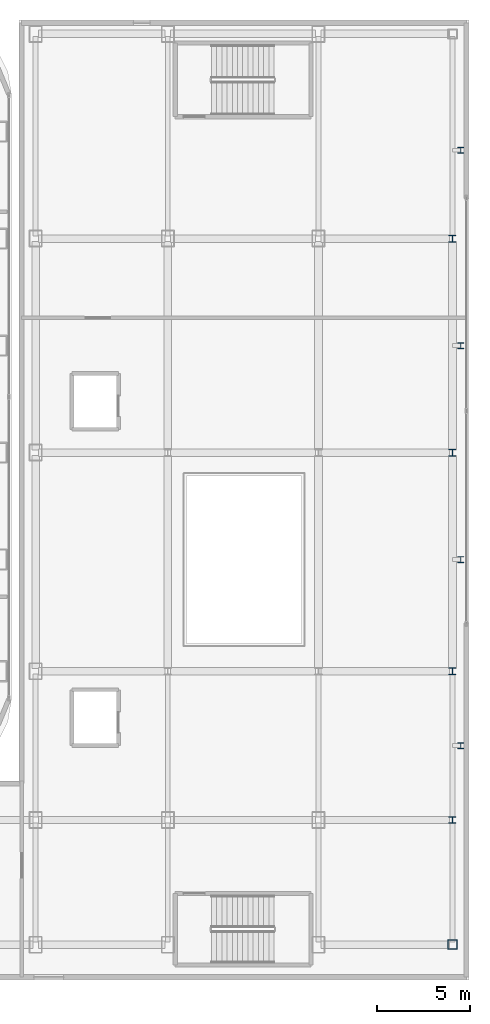
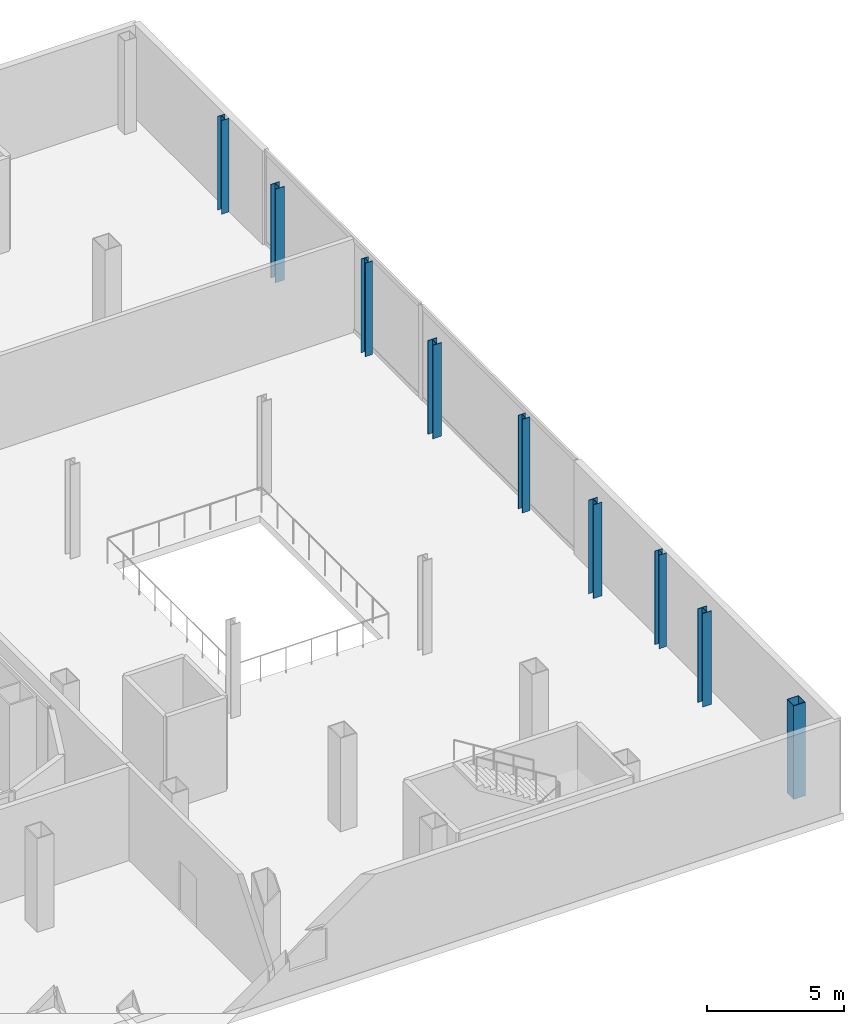
# One storey, part 4 of 27: 9 columns.
"""IFC4 building model written with IfcOpenShell, lengths in metres."""

from ifc_helpers import new_model, si_unit, direction, frame, origin, origin_2d, place, context, subcontext, project, spatial, hollow_rectangle, i_section, extrude, source, transform, mapped, material, material_profile, profile_set, type_object, element, save


model = new_model("IFC4")

# Units and contexts
model_context = context("Model", 3, precision=1e-05, world=origin(), true_north=direction((0.0, 1.0)))
body_context = subcontext(model_context, "Body", "Model", "MODEL_VIEW")
ifc_project = project(units=[si_unit("LENGTHUNIT", "METRE"), si_unit("AREAUNIT", "SQUARE_METRE"), si_unit("VOLUMEUNIT", "CUBIC_METRE"), si_unit("PLANEANGLEUNIT", "RADIAN"), si_unit("MASSUNIT", "GRAM", prefix="KILO")], contexts=[model_context])

# Site, building, storey
site_placement = place(None, origin())
site = spatial("IfcSite", under=ifc_project, at=site_placement, CompositionType="ELEMENT")
building_placement = place(site_placement, origin())
building = spatial("IfcBuilding", under=site, at=building_placement, Name="Kolveth Station Tower", CompositionType="ELEMENT")
storey_placement = place(building_placement, frame((0.0, 0.0, 13.5)))
storey = spatial("IfcBuildingStorey", under=building, at=storey_placement, Name="L03", CompositionType="ELEMENT", Elevation=13.5)

# Columns
ifc_material = material(Name="Steel S355", Category="steel")
ifc_material_profile_1 = material_profile(ifc_material, hollow_rectangle(XDim=0.5, YDim=0.5, WallThickness=0.02490234375, at=origin_2d()), Name="HSS500x500x25")
ifc_profile_set_1 = profile_set([ifc_material_profile_1], Name="Steel S355")
column_type_1 = type_object("IfcColumnType", Name="Col_SC2", PredefinedType="COLUMN", material=ifc_profile_set_1)
shared_shape_1 = source(origin(), body_context, "Body", "SweptSolid", [
    extrude(hollow_rectangle(XDim=0.5, YDim=0.5, WallThickness=0.02490234375, at=origin_2d()), origin(), (0.0, 0.0, 1.0), 4.179931640625),
])
column_placement = place(storey_placement, frame((70.699951171875, -9.199951171875, 0.0), z_axis=(0.0, 0.0, 1.0), x_axis=(1.0, 0.0, 0.0)))
element("IfcColumn", 1, at=column_placement, inside=storey, type_object=column_type_1, Name="L03 Station Column SE-4-1", PredefinedType="COLUMN", context=body_context, shape_type="MappedRepresentation", body=[
    mapped(shared_shape_1, transform((0.0, 0.0, 0.0), x_axis=(1.0, 0.0, 0.0), y_axis=(0.0, 1.0, 0.0), z_axis=(0.0, 0.0, 1.0), scale=1.0)),
])
ifc_material_profile_2 = material_profile(ifc_material, i_section(OverallWidth=0.3740234375, OverallDepth=0.3720703125, WebThickness=0.016357421875, FlangeThickness=0.026123046875, at=origin_2d()), Name="W360x196")
ifc_profile_set_2 = profile_set([ifc_material_profile_2], Name="Steel S355")
column_type_2 = type_object("IfcColumnType", Name="Col_CW2", PredefinedType="COLUMN", material=ifc_profile_set_2)
shared_shape_2 = source(origin(), body_context, "Body", "SweptSolid", [
    extrude(i_section(OverallWidth=0.3740234375, OverallDepth=0.3720703125, WebThickness=0.016357421875, FlangeThickness=0.026123046875, at=origin_2d()), origin(), (0.0, 0.0, 1.0), 4.179931640625),
])
for number, where, z_axis, x_axis, name in (
    (2, (70.699951171875, -2.5, 0.0), (0.0, 0.0, 1.0), (1.0, 0.0, 0.0), "L03 Station Column SE-4-2"),
    (3, (70.699951171875, 5.5, 0.0), (0.0, 0.0, 1.0), (1.0, 0.0, 0.0), "L03 Station Column SE-4-3"),
    (4, (70.699951171875, 17.25, 0.0), (0.0, 0.0, 1.0), (1.0, 0.0, 0.0), "L03 Station Column SE-4-4"),
    (5, (70.699951171875, 28.75, 0.0), (0.0, 0.0, 1.0), (1.0, 0.0, 0.0), "L03 Station Column SE-4-5"),
):
    element("IfcColumn", number, at=place(storey_placement, frame(where, z_axis=z_axis, x_axis=x_axis)), inside=storey, type_object=column_type_2, Name=name, PredefinedType="COLUMN", context=body_context, shape_type="MappedRepresentation", body=[
        mapped(shared_shape_2, transform((0.0, 0.0, 0.0), x_axis=(1.0, 0.0, 0.0), y_axis=(0.0, 1.0, 0.0), z_axis=(0.0, 0.0, 1.0), scale=1.0)),
    ])
ifc_material_profile_3 = material_profile(ifc_material, i_section(OverallWidth=0.30908203125, OverallDepth=0.322998046875, WebThickness=0.013916015625, FlangeThickness=0.02294921875, at=origin_2d()), Name="W310x143")
ifc_profile_set_3 = profile_set([ifc_material_profile_3], Name="Steel S355")
column_type_3 = type_object("IfcColumnType", Name="Col_PL1", PredefinedType="PILASTER", material=ifc_profile_set_3)
shared_shape_3 = source(origin(), body_context, "Body", "SweptSolid", [
    extrude(i_section(OverallWidth=0.30908203125, OverallDepth=0.322998046875, WebThickness=0.013916015625, FlangeThickness=0.02294921875, at=origin_2d()), origin(), (0.0, 0.0, 1.0), 4.179931640625),
])
for number, where, z_axis, x_axis, name in (
    (6, (71.14990234375, 1.5, 0.0), (0.0, 0.0, 1.0), (1.0, 0.0, 0.0), "L03 Station Column SPL-1"),
    (7, (71.14990234375, 11.5, 0.0), (0.0, 0.0, 1.0), (1.0, 0.0, 0.0), "L03 Station Column SPL-2"),
    (8, (71.14990234375, 23.0, 0.0), (0.0, 0.0, 1.0), (1.0, 0.0, 0.0), "L03 Station Column SPL-3"),
    (9, (71.14990234375, 33.5, 0.0), (0.0, 0.0, 1.0), (1.0, 0.0, 0.0), "L03 Station Column SPL-4"),
):
    element("IfcColumn", number, at=place(storey_placement, frame(where, z_axis=z_axis, x_axis=x_axis)), inside=storey, type_object=column_type_3, Name=name, PredefinedType="PILASTER", context=body_context, shape_type="MappedRepresentation", body=[
        mapped(shared_shape_3, transform((0.0, 0.0, 0.0), x_axis=(1.0, 0.0, 0.0), y_axis=(0.0, 1.0, 0.0), z_axis=(0.0, 0.0, 1.0), scale=1.0)),
    ])

save(model, "model.ifc")
